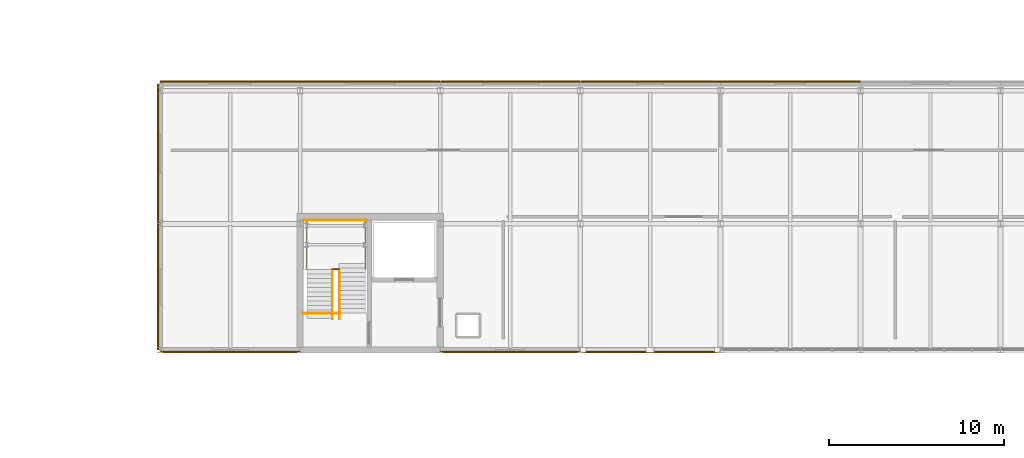
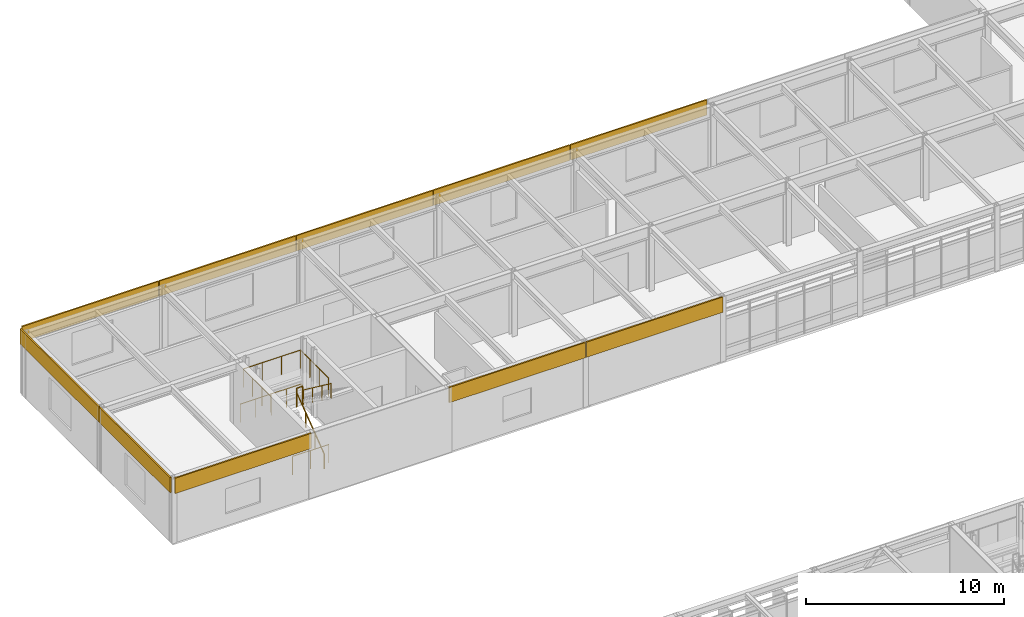
# One storey, part 42 of 45: 10 coverings, 6 railings.
"""IFC4 building model written with IfcOpenShell, lengths in metres."""

from ifc_helpers import new_model, si_unit, direction, frame, origin, origin_2d, place, context, subcontext, project, spatial, rectangle, circle, extrude, material, layer, layer_set, type_object, element, save


model = new_model("IFC4")

# Units and contexts
model_context = context("Model", 3, precision=1e-05, world=origin(), true_north=direction((0.0, 1.0)))
body_context = subcontext(model_context, "Body", "Model", "MODEL_VIEW")
ifc_project = project(units=[si_unit("LENGTHUNIT", "METRE"), si_unit("AREAUNIT", "SQUARE_METRE"), si_unit("VOLUMEUNIT", "CUBIC_METRE"), si_unit("PLANEANGLEUNIT", "RADIAN"), si_unit("MASSUNIT", "GRAM", prefix="KILO")], contexts=[model_context])

# Site, building, storey
site_placement = place(None, origin())
site = spatial("IfcSite", under=ifc_project, at=site_placement, CompositionType="ELEMENT")
building_placement = place(site_placement, origin())
building = spatial("IfcBuilding", under=site, at=building_placement, Name="Zulena Civic Courthouse", CompositionType="ELEMENT")
storey_placement = place(building_placement, frame((0.0, 0.0, 29.39990234375)))
storey = spatial("IfcBuildingStorey", under=building, at=storey_placement, Name="L06", CompositionType="ELEMENT", Elevation=29.39990234375)

# Railings
ifc_material_1 = material(Name="Brushed architectural steel ASTM A36", Category="steel")
railing_type_1 = type_object("IfcRailingType", Name="InteriorGuardrail_1150", PredefinedType="GUARDRAIL", material=ifc_material_1)
railing_1_placement = place(storey_placement, frame((20.199951171875, 53.409912109375, 0.0)))
element("IfcRailing", 1, at=railing_1_placement, inside=storey, type_object=railing_type_1, Name="gr:wellN:K5A:L05", PredefinedType="GUARDRAIL", context=body_context, shape_type="SweptSolid", body=[
    extrude(circle(Radius=0.02392578125, at=origin_2d()), frame((0.00390625, 0.0, 1.1259765625), z_axis=(1.0, 0.0, 0.0), x_axis=(0.0, 1.0, 0.0)), (0.0, 0.0, 1.0), 3.592041015625),
    extrude(circle(Radius=0.02099609375, at=origin_2d()), origin(), (0.0, 0.0, 1.0), 1.097900390625),
    extrude(circle(Radius=0.02099609375, at=origin_2d()), frame((0.89990234375, 0.0, 0.0)), (0.0, 0.0, 1.0), 1.097900390625),
    extrude(circle(Radius=0.02099609375, at=origin_2d()), frame((1.800048828125, 0.0, 0.0)), (0.0, 0.0, 1.0), 1.097900390625),
    extrude(circle(Radius=0.02099609375, at=origin_2d()), frame((2.7001953125, 0.0, 0.0)), (0.0, 0.0, 1.0), 1.097900390625),
    extrude(circle(Radius=0.02099609375, at=origin_2d()), frame((3.60009765625, 0.0, 0.0)), (0.0, 0.0, 1.0), 1.097900390625),
])
railing_2_placement = place(storey_placement, frame((20.179931640625, 48.10009765625, 0.0)))
element("IfcRailing", 2, at=railing_2_placement, inside=storey, type_object=railing_type_1, Name="gr:wells:K5A:L06", PredefinedType="GUARDRAIL", context=body_context, shape_type="SweptSolid", body=[
    extrude(circle(Radius=0.02392578125, at=origin_2d()), frame((0.00390625, 0.0, 1.1259765625), z_axis=(1.0, 0.0, 0.0), x_axis=(0.0, 1.0, 0.0)), (0.0, 0.0, 1.0), 2.112060546875),
    extrude(circle(Radius=0.02099609375, at=origin_2d()), origin(), (0.0, 0.0, 1.0), 1.097900390625),
    extrude(circle(Radius=0.02099609375, at=origin_2d()), frame((1.06005859375, 0.0, 0.0)), (0.0, 0.0, 1.0), 1.097900390625),
    extrude(circle(Radius=0.02099609375, at=origin_2d()), frame((2.1201171875, 0.0, 0.0)), (0.0, 0.0, 1.0), 1.097900390625),
])
railing_3_placement = place(storey_placement, frame((20.3798828125, 50.584716796875, 2.10009765625)))
element("IfcRailing", 3, at=railing_3_placement, inside=storey, type_object=railing_type_1, Name="gr:lnd:K5A:L06", PredefinedType="GUARDRAIL", context=body_context, shape_type="SweptSolid", body=[
    extrude(circle(Radius=0.02392578125, at=origin_2d()), frame((0.0, 0.00390625, 1.1259765625), z_axis=(0.0, 1.0, 0.0), x_axis=(-1.0, 0.0, 0.0)), (0.0, 0.0, 1.0), 2.8271484375),
    extrude(circle(Radius=0.02392578125, at=origin_2d()), frame((0.00390625, 2.835205078125, 1.1259765625), z_axis=(1.0, 0.0, 0.0), x_axis=(0.0, 1.0, 0.0)), (0.0, 0.0, 1.0), 3.33203125),
    extrude(circle(Radius=0.02392578125, at=origin_2d()), frame((3.340087890625, 2.831298828125, 1.1259765625), z_axis=(0.0, -1.0, 0.0), x_axis=(1.0, 0.0, 0.0)), (0.0, 0.0, 1.0), 2.8271484375),
    extrude(circle(Radius=0.02099609375, at=origin_2d()), origin(), (0.0, 0.0, 1.0), 1.097900390625),
    extrude(circle(Radius=0.02099609375, at=origin_2d()), frame((0.0, 0.945068359375, 0.0)), (0.0, 0.0, 1.0), 1.097900390625),
    extrude(circle(Radius=0.02099609375, at=origin_2d()), frame((0.0, 1.89013671875, 0.0)), (0.0, 0.0, 1.0), 1.097900390625),
    extrude(circle(Radius=0.02099609375, at=origin_2d()), frame((0.0, 2.835205078125, 0.0)), (0.0, 0.0, 1.0), 1.097900390625),
    extrude(circle(Radius=0.02099609375, at=origin_2d()), frame((1.11328125, 2.835205078125, 0.0)), (0.0, 0.0, 1.0), 1.097900390625),
    extrude(circle(Radius=0.02099609375, at=origin_2d()), frame((2.226806640625, 2.835205078125, 0.0)), (0.0, 0.0, 1.0), 1.097900390625),
    extrude(circle(Radius=0.02099609375, at=origin_2d()), frame((3.340087890625, 2.835205078125, 0.0)), (0.0, 0.0, 1.0), 1.097900390625),
    extrude(circle(Radius=0.02099609375, at=origin_2d()), frame((3.340087890625, 1.89013671875, 0.0)), (0.0, 0.0, 1.0), 1.097900390625),
    extrude(circle(Radius=0.02099609375, at=origin_2d()), frame((3.340087890625, 0.945068359375, 0.0)), (0.0, 0.0, 1.0), 1.097900390625),
    extrude(circle(Radius=0.02099609375, at=origin_2d()), frame((3.340087890625, 0.0, 0.0)), (0.0, 0.0, 1.0), 1.097900390625),
])
railing_4_placement = place(storey_placement, frame((21.8798828125, 50.60498046875, 2.10009765625)))
element("IfcRailing", 4, at=railing_4_placement, inside=storey, type_object=railing_type_1, Name="gr:lndslot:K5A:L06", PredefinedType="GUARDRAIL", context=body_context, shape_type="SweptSolid", body=[
    extrude(circle(Radius=0.02392578125, at=origin_2d()), frame((0.00390625, 0.0, 1.1259765625), z_axis=(1.0, 0.0, 0.0), x_axis=(0.0, 1.0, 0.0)), (0.0, 0.0, 1.0), 0.33203125),
    extrude(circle(Radius=0.02099609375, at=origin_2d()), origin(), (0.0, 0.0, 1.0), 1.097900390625),
    extrude(circle(Radius=0.02099609375, at=origin_2d()), frame((0.340087890625, 0.0, 0.0)), (0.0, 0.0, 1.0), 1.097900390625),
])

# Coverings
ifc_material_2 = material(Name="White architectural precast concrete C40/50", Category="concrete")
ifc_layer = layer(ifc_material_2, 0.0849609375)
ifc_layer_set = layer_set([ifc_layer], Name="White architectural precast concrete C40/50")
covering_type = type_object("IfcCoveringType", Name="PrecastSpandrelCladding_85", PredefinedType="CLADDING", material=ifc_layer_set)
covering_placement = place(storey_placement, frame((11.8798828125, 49.60009765625, 3.06005859375), z_axis=(0.0, 0.0, 1.0), x_axis=(0.0, 1.0, 0.0)))
element("IfcCovering", 5, at=covering_placement, inside=storey, type_object=covering_type, Name="clad:sp:V5:L06:0:0", PredefinedType="CLADDING", context=body_context, shape_type="SweptSolid", body=[
    extrude(rectangle(XDim=7.159912109375, YDim=0.0849609375, at=origin_2d()), origin(), (0.0, 0.0, 1.0), 0.93994140625),
])
for number, where, z_axis, x_axis, name in (
    (6, (11.8798828125, 57.199951171875, 3.06005859375), (0.0, 0.0, 1.0), (0.0, 1.0, 0.0), "clad:sp:V5:L06:0:1"),
    (7, (16.0, 61.320068359375, 3.06005859375), (0.0, 0.0, 1.0), (1.0, 0.0, 0.0), "clad:sp:V5:L06:1:0"),
    (8, (24.0, 61.320068359375, 3.06005859375), (0.0, 0.0, 1.0), (1.0, 0.0, 0.0), "clad:sp:V5:L06:1:1"),
    (9, (32.0, 61.320068359375, 3.06005859375), (0.0, 0.0, 1.0), (1.0, 0.0, 0.0), "clad:sp:V5:L06:1:2"),
    (10, (40.0, 61.320068359375, 3.06005859375), (0.0, 0.0, 1.0), (1.0, 0.0, 0.0), "clad:sp:V5:L06:1:3"),
    (11, (48.0, 61.320068359375, 3.06005859375), (0.0, 0.0, 1.0), (1.0, 0.0, 0.0), "clad:sp:V5:L06:1:4"),
    (12, (40.0, 45.8798828125, 3.06005859375), (0.0, 0.0, 1.0), (-1.0, 0.0, 0.0), "clad:sp:V5:L06:5:7"),
    (13, (32.0, 45.8798828125, 3.06005859375), (0.0, 0.0, 1.0), (-1.0, 0.0, 0.0), "clad:sp:V5:L06:5:8"),
    (14, (16.0, 45.8798828125, 3.06005859375), (0.0, 0.0, 1.0), (-1.0, 0.0, 0.0), "clad:sp:V5:L06:5:10"),
):
    element("IfcCovering", number, at=place(storey_placement, frame(where, z_axis=z_axis, x_axis=x_axis)), inside=storey, type_object=covering_type, Name=name, PredefinedType="CLADDING", context=body_context, shape_type="SweptSolid", body=[
        extrude(rectangle(XDim=7.9599609375, YDim=0.0849609375, at=origin_2d()), origin(), (0.0, 0.0, 1.0), 0.93994140625),
    ])

# Railings
railing_type_2 = type_object("IfcRailingType", Name="StairHandrail_920", PredefinedType="HANDRAIL", material=ifc_material_1)
railing_5_placement = place(storey_placement, frame((21.85009765625, 47.780029296875, 0.0)))
element("IfcRailing", 15, at=railing_5_placement, inside=storey, type_object=railing_type_2, Name="hr:K5A:L06:1", PredefinedType="HANDRAIL", context=body_context, shape_type="SweptSolid", body=[
    extrude(circle(Radius=0.02392578125, at=origin_2d()), frame((0.0, 0.003173828125, 0.898193359375), z_axis=(0.0, 0.800467996722, 0.599375496849), x_axis=(-1.0, 0.0, 0.0)), (0.0, 0.0, 1.0), 3.495849609375),
    extrude(circle(Radius=0.02099609375, at=origin_2d()), origin(), (0.0, 0.0, 1.0), 0.867919921875),
    extrude(circle(Radius=0.02099609375, at=origin_2d()), frame((0.0, 0.934814453125, 0.699951171875)), (0.0, 0.0, 1.0), 0.867919921875),
    extrude(circle(Radius=0.02099609375, at=origin_2d()), frame((0.0, 1.869873046875, 1.400146484375)), (0.0, 0.0, 1.0), 0.867919921875),
    extrude(circle(Radius=0.02099609375, at=origin_2d()), frame((0.0, 2.8046875, 2.10009765625)), (0.0, 0.0, 1.0), 0.867919921875),
])
railing_6_placement = place(storey_placement, frame((22.25, 50.584716796875, 2.10009765625)))
element("IfcRailing", 16, at=railing_6_placement, inside=storey, type_object=railing_type_2, Name="hr:K5A:L06:2", PredefinedType="HANDRAIL", context=body_context, shape_type="SweptSolid", body=[
    extrude(circle(Radius=0.02392578125, at=origin_2d()), frame((0.0, -0.003173828125, 0.898193359375), z_axis=(0.0, -0.800467996722, 0.599375496849), x_axis=(1.0, 0.0, 0.0)), (0.0, 0.0, 1.0), 3.495849609375),
    extrude(circle(Radius=0.02099609375, at=origin_2d()), origin(), (0.0, 0.0, 1.0), 0.867919921875),
    extrude(circle(Radius=0.02099609375, at=origin_2d()), frame((0.0, -0.934814453125, 0.699951171875)), (0.0, 0.0, 1.0), 0.867919921875),
    extrude(circle(Radius=0.02099609375, at=origin_2d()), frame((0.0, -1.869873046875, 1.400146484375)), (0.0, 0.0, 1.0), 0.867919921875),
    extrude(circle(Radius=0.02099609375, at=origin_2d()), frame((0.0, -2.8046875, 2.10009765625)), (0.0, 0.0, 1.0), 0.867919921875),
])

save(model, "model.ifc")
